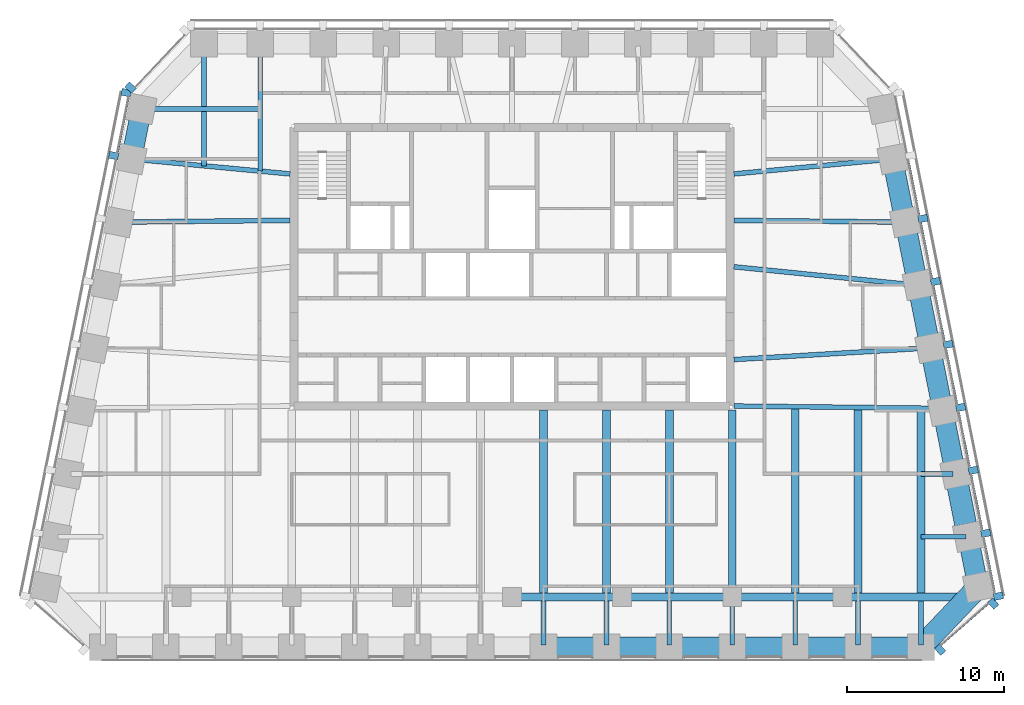
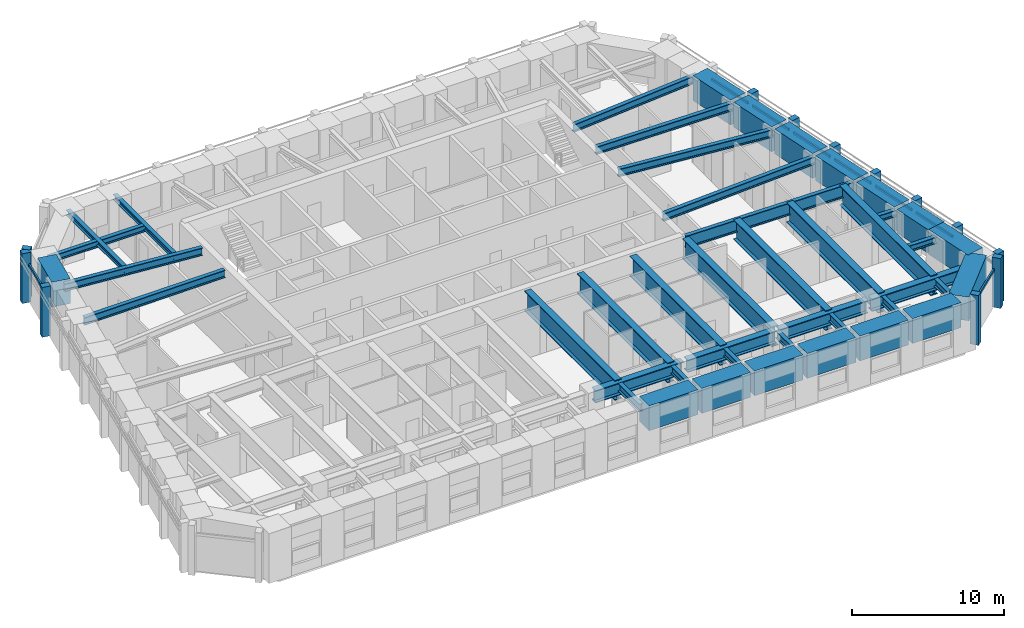
# One storey, part 2 of 13: 45 beams, 21 members, 4 elements without a shape of their own.
"""IFC4 building model written with IfcOpenShell, lengths in metres."""

import ifcopenshell
import ifcopenshell.guid

model = None  # the IFC model being written
_history = None  # IfcOwnerHistory: only IFC2X3 demands one
_inside = {}  # id of a spatial element -> (the spatial element, [elements in it])
_under = {}  # id of a project, library or spatial element -> (it, [spatial elements below it])
_declared = {}  # id of a project -> (the project, [libraries it declares])
_typed = {}  # id of a type object -> (the type object, [elements of that type])
_made_of = {}  # id of a material, layer set ... -> (it, [elements and type objects made of it])


def new_model(schema):
    """Start an empty IFC model of exactly this schema.

    Asked for "IFC4X3", IfcOpenShell would pick the latest addendum, in which some entities
    have other attributes; the version numbers below select the first issue.
    IFC2X3 requires an IfcOwnerHistory on every rooted entity: one is made here for all.
    """
    global model, _history
    if schema == "IFC4X3":
        model = ifcopenshell.file(schema_version=(4, 3, 0, 0))
    else:
        model = ifcopenshell.file(schema=schema)
    _inside.clear()
    _under.clear()
    _declared.clear()
    _typed.clear()
    _made_of.clear()
    _history = None
    if model.schema == "IFC2X3":
        org = make("IfcOrganization", Name="unknown")
        user = make(
            "IfcPersonAndOrganization",
            ThePerson=make("IfcPerson", FamilyName="unknown"),
            TheOrganization=org,
        )
        app = make(
            "IfcApplication",
            ApplicationDeveloper=org,
            Version="unknown",
            ApplicationFullName="unknown",
            ApplicationIdentifier="unknown",
        )
        _history = make(
            "IfcOwnerHistory",
            OwningUser=user,
            OwningApplication=app,
            ChangeAction="ADDED",
            CreationDate=0,
        )
    return model


def make(cls, **values):
    """One entity of the class cls with the attributes given. An attribute that is None is left unset."""
    return model.create_entity(
        cls, **{name: value for name, value in values.items() if value is not None}
    )


def rooted(cls, **values):
    """An entity with a GlobalId (a new one), such as an element, a storey or a relation."""
    return make(cls, GlobalId=ifcopenshell.guid.new(), OwnerHistory=_history, **values)


def si_unit(unit_type, name, prefix=None):
    """IfcSIUnit, for example si_unit("LENGTHUNIT", "METRE", prefix="MILLI")."""
    return make("IfcSIUnit", UnitType=unit_type, Prefix=prefix, Name=name)


def assignment(units):
    """IfcUnitAssignment: the units of a project."""
    return None if units is None else make("IfcUnitAssignment", Units=units)


def point(xyz):
    """IfcCartesianPoint."""
    return None if xyz is None else make("IfcCartesianPoint", Coordinates=xyz)


def direction(xyz):
    """IfcDirection."""
    return None if xyz is None else make("IfcDirection", DirectionRatios=xyz)


def frame(location, z_axis=None, x_axis=None):
    """IfcAxis2Placement3D, a coordinate frame: its origin and axes. An axis left out is left unset."""
    return make(
        "IfcAxis2Placement3D",
        Location=point(location),
        Axis=direction(z_axis),
        RefDirection=direction(x_axis),
    )


def frame_2d(location, x_axis=None):
    """IfcAxis2Placement2D, a coordinate frame in the plane: its origin and x axis."""
    return make(
        "IfcAxis2Placement2D", Location=point(location), RefDirection=direction(x_axis)
    )


def origin():
    """The frame at (0, 0, 0) with its axes left unset."""
    return frame((0.0, 0.0, 0.0))


def origin_2d():
    """The frame at (0, 0) in the plane with its x axis left unset."""
    return frame_2d((0.0, 0.0))


def place(relative_to, where):
    """IfcLocalPlacement: puts the frame where relative to a parent placement (None: the world)."""
    return make(
        "IfcLocalPlacement", PlacementRelTo=relative_to, RelativePlacement=where
    )


def context(
    kind, dimensions, precision=None, world=None, true_north=None, identifier=None
):
    """IfcGeometricRepresentationContext, for example the 3D "Model" context."""
    return make(
        "IfcGeometricRepresentationContext",
        ContextIdentifier=identifier,
        ContextType=kind,
        CoordinateSpaceDimension=dimensions,
        Precision=precision,
        WorldCoordinateSystem=world,
        TrueNorth=true_north,
    )


def subcontext(parent, identifier, kind, view, scale=None):
    """IfcGeometricRepresentationSubContext, for example "Body" below "Model"."""
    return make(
        "IfcGeometricRepresentationSubContext",
        ContextIdentifier=identifier,
        ContextType=kind,
        ParentContext=parent,
        TargetScale=scale,
        TargetView=view,
    )


def project(units=None, contexts=None):
    """IfcProject with its units and contexts."""
    return rooted(
        "IfcProject",
        Name="project",
        RepresentationContexts=contexts,
        UnitsInContext=assignment(units),
    )


def spatial(cls, under=None, at=None, **own):
    """A site, building, storey or space (cls), placed at a placement, below another one or the project."""
    s = rooted(cls, ObjectPlacement=at, **own)
    if under is not None:
        _under.setdefault(under.id(), (under, []))[1].append(s)
    return s


def profile(cls, at=None, kind="AREA", **sizes):
    """A parametric profile (cls). Its sizes go by their IFC names, for example OverallWidth=200.0."""
    return make(cls, ProfileType=kind, Position=at, **sizes)


def rectangle(**sizes):
    """IfcRectangleProfileDef."""
    return profile("IfcRectangleProfileDef", **sizes)


def i_section(**sizes):
    """IfcIShapeProfileDef."""
    return profile("IfcIShapeProfileDef", **sizes)


def extrude(swept, where, along, depth):
    """IfcExtrudedAreaSolid: the profile swept, set in the frame where, extruded along a direction by depth."""
    return make(
        "IfcExtrudedAreaSolid",
        SweptArea=swept,
        Position=where,
        ExtrudedDirection=direction(along),
        Depth=depth,
    )


def shape(context_of_items, identifier, shape_type, items):
    """IfcShapeRepresentation: the items that make up one representation, for example the "Body"."""
    return make(
        "IfcShapeRepresentation",
        ContextOfItems=context_of_items,
        RepresentationIdentifier=identifier,
        RepresentationType=shape_type,
        Items=items,
    )


def material(Name=None, Category=None):
    """IfcMaterial."""
    return make("IfcMaterial", Name=Name, Category=Category)


def material_profile(
    of_material, cross_section, Name=None, Category=None, Priority=None
):
    """IfcMaterialProfile: a cross section and its material."""
    return make(
        "IfcMaterialProfile",
        Name=Name,
        Material=of_material,
        Profile=cross_section,
        Priority=Priority,
        Category=Category,
    )


def profile_set(profiles, Name=None, composite=None):
    """IfcMaterialProfileSet."""
    return make(
        "IfcMaterialProfileSet",
        Name=Name,
        MaterialProfiles=profiles,
        CompositeProfile=composite,
    )


def made_of(thing, what):
    """Note that an element or type object is made of a material, layer set ...; save() writes the relation."""
    if what is not None:
        _made_of.setdefault(what.id(), (what, []))[1].append(thing)
    return thing


def type_object(cls, material=None, **own):
    """A type object (cls), such as IfcWallType, which elements share."""
    return made_of(rooted(cls, **own), material)


def element(
    cls,
    number,
    at=None,
    inside=None,
    cuts=None,
    type_object=None,
    material=None,
    context=None,
    identifier="Body",
    shape_type=None,
    held_by="IfcProductDefinitionShape",
    body=None,
    shapes=None,
    **own,
):
    """One element of the class cls, such as IfcWall. Its Tag is "e" and its number.

    at: its placement. inside: the storey or other place that contains it. cuts: it is an
    opening in that element (IfcRelVoidsElement). A single representation is given by context,
    identifier, shape_type and body (its items); several are given by shapes. held_by: the class
    of the entity that holds the representations. save() writes the other relations.
    """
    e = rooted(cls, Tag="e%d" % number, ObjectPlacement=at, **own)
    if body is not None:
        shapes = [shape(context, identifier, shape_type, body)]
    if shapes is not None:
        e.Representation = make(held_by, Representations=shapes)
    if inside is not None:
        _inside.setdefault(inside.id(), (inside, []))[1].append(e)
    if cuts is not None:
        rooted(
            "IfcRelVoidsElement", RelatingBuildingElement=cuts, RelatedOpeningElement=e
        )
    if type_object is not None:
        _typed.setdefault(type_object.id(), (type_object, []))[1].append(e)
    return made_of(e, material)


def aggregate(whole, parts):
    """IfcRelAggregates: a whole, such as a stair, and the parts it consists of."""
    return rooted("IfcRelAggregates", RelatingObject=whole, RelatedObjects=parts)


def save(model, path):
    """Write the relations noted so far, then the file.

    IfcRelAggregates (storeys below a building ...), IfcRelContainedInSpatialStructure (elements
    in a storey), IfcRelDefinesByType, IfcRelAssociatesMaterial and IfcRelDeclares: one each for
    every whole, place, type object, material and project.
    """
    for whole, parts in _under.values():
        aggregate(whole, parts)
    for where, things in _inside.values():
        rooted(
            "IfcRelContainedInSpatialStructure",
            RelatedElements=things,
            RelatingStructure=where,
        )
    for kind, things in _typed.values():
        rooted("IfcRelDefinesByType", RelatedObjects=things, RelatingType=kind)
    for what, things in _made_of.values():
        rooted("IfcRelAssociatesMaterial", RelatedObjects=things, RelatingMaterial=what)
    for by, libraries in _declared.values():
        rooted("IfcRelDeclares", RelatingContext=by, RelatedDefinitions=libraries)
    model.write(path)


model = new_model("IFC4")

# Units and contexts
model_context = context("Model", 3, precision=1e-05, world=origin(), true_north=direction((0.0, 1.0)))
body_context = subcontext(model_context, "Body", "Model", "MODEL_VIEW")
ifc_project = project(units=[si_unit("LENGTHUNIT", "METRE"), si_unit("AREAUNIT", "SQUARE_METRE"), si_unit("VOLUMEUNIT", "CUBIC_METRE"), si_unit("PLANEANGLEUNIT", "RADIAN"), si_unit("MASSUNIT", "GRAM", prefix="KILO")], contexts=[model_context])

# Site, building, storey
site_placement = place(None, origin())
site = spatial("IfcSite", under=ifc_project, at=site_placement, CompositionType="ELEMENT")
building_placement = place(site_placement, origin())
building = spatial("IfcBuilding", under=site, at=building_placement, Name="Isbrekke Arena Tower", CompositionType="ELEMENT")
storey_placement = place(building_placement, frame((0.0, 0.0, 280.0)))
storey = spatial("IfcBuildingStorey", under=building, at=storey_placement, Name="L65", CompositionType="ELEMENT", Elevation=280.0)

# Beams
ifc_material_1 = material(Name="Steel S355", Category="steel")
ifc_material_profile_1 = material_profile(ifc_material_1, i_section(OverallWidth=0.304931640625, OverallDepth=0.6201171875, WebThickness=0.02099609375, FlangeThickness=0.0400390625, FilletRadius=0.027099609375, at=origin_2d()), Name="HEM 600")
ifc_profile_set_1 = profile_set([ifc_material_profile_1], Name="Steel S355")
beam_type_1 = type_object("IfcBeamType", Name="B4 HEM 600", PredefinedType="BEAM", material=ifc_profile_set_1)
for number, where, z_axis, x_axis, name in (
    (1, (2.0, -9.02490234375, 3.43994140625), (0.0, 1.0, 0.0), (-1.0, 0.0, 0.0), "B4 beam S-S08 L65"),
    (2, (6.0, -9.02490234375, 3.43994140625), (0.0, 1.0, 0.0), (-1.0, 0.0, 0.0), "B4 beam S-S09 L65"),
    (3, (10.0, -9.02490234375, 3.43994140625), (0.0, 1.0, 0.0), (-1.0, 0.0, 0.0), "B4 beam S-S10 L65"),
):
    element("IfcBeam", number, at=place(storey_placement, frame(where, z_axis=z_axis, x_axis=x_axis)), inside=storey, type_object=beam_type_1, Name=name, PredefinedType="BEAM", context=body_context, shape_type="SweptSolid", body=[
        extrude(i_section(OverallWidth=0.304931640625, OverallDepth=0.6201171875, WebThickness=0.02099609375, FlangeThickness=0.0400390625, FilletRadius=0.027099609375, at=origin_2d()), origin(), (0.0, 0.0, 1.0), 2.77490234375),
    ])
beam_1_placement = place(storey_placement, frame((14.0, -9.02490234375, 3.43994140625), z_axis=(0.0, 1.0, 0.0), x_axis=(-1.0, 0.0, 0.0)))
element("IfcBeam", 4, at=beam_1_placement, inside=storey, type_object=beam_type_1, Name="B4 beam S-S11 L65", PredefinedType="BEAM", context=body_context, shape_type="SweptSolid", body=[
    extrude(i_section(OverallWidth=0.304931640625, OverallDepth=0.6201171875, WebThickness=0.02099609375, FlangeThickness=0.0400390625, FilletRadius=0.027099609375, at=origin_2d()), origin(), (0.0, 0.0, 1.0), 2.875),
])
for number, where, z_axis, x_axis, name in (
    (5, (18.0, -9.02490234375, 3.43994140625), (0.0, 1.0, 0.0), (-1.0, 0.0, 0.0), "B4 beam S-S12 L65"),
    (6, (22.0, -9.02490234375, 3.43994140625), (0.0, 1.0, 0.0), (-1.0, 0.0, 0.0), "B4 beam S-S13 L65"),
    (7, (26.0, -9.02490234375, 3.43994140625), (0.0, 1.0, 0.0), (-1.0, 0.0, 0.0), "B4 beam S-S14 L65"),
):
    element("IfcBeam", number, at=place(storey_placement, frame(where, z_axis=z_axis, x_axis=x_axis)), inside=storey, type_object=beam_type_1, Name=name, PredefinedType="BEAM", context=body_context, shape_type="SweptSolid", body=[
        extrude(i_section(OverallWidth=0.304931640625, OverallDepth=0.6201171875, WebThickness=0.02099609375, FlangeThickness=0.0400390625, FilletRadius=0.027099609375, at=origin_2d()), origin(), (0.0, 0.0, 1.0), 2.77490234375),
    ])
beam_2_placement = place(storey_placement, frame((26.431884765625, 9.837646484375, 3.5400390625), z_axis=(-0.998216240514, -0.059702070095, 0.0), x_axis=(0.059702070095, -0.998216240514, 0.0)))
element("IfcBeam", 8, at=beam_2_placement, inside=storey, type_object=beam_type_1, Name="B4 beam E-E05 L65", PredefinedType="BEAM", context=body_context, shape_type="SweptSolid", body=[
    extrude(i_section(OverallWidth=0.304931640625, OverallDepth=0.6201171875, WebThickness=0.02099609375, FlangeThickness=0.0400390625, FilletRadius=0.027099609375, at=origin_2d()), origin(), (0.0, 0.0, 1.0), 12.353759765625),
])
beam_3_placement = place(storey_placement, frame((25.625732421875, 13.83984375, 3.5400390625), z_axis=(-0.994972081505, 0.100152668587, 0.0), x_axis=(-0.100152668587, -0.994972081505, 0.0)))
element("IfcBeam", 9, at=beam_3_placement, inside=storey, type_object=beam_type_1, Name="B4 beam E-E06 L65", PredefinedType="BEAM", context=body_context, shape_type="SweptSolid", body=[
    extrude(i_section(OverallWidth=0.304931640625, OverallDepth=0.6201171875, WebThickness=0.02099609375, FlangeThickness=0.0400390625, FilletRadius=0.027099609375, at=origin_2d()), origin(), (0.0, 0.0, 1.0), 11.583984375),
])
beam_4_placement = place(storey_placement, frame((24.83935546875, 17.838134765625, 3.5400390625), z_axis=(-0.999945800258, 0.010411366203, 0.0), x_axis=(-0.010411366203, -0.999945800258, 0.0)))
element("IfcBeam", 10, at=beam_4_placement, inside=storey, type_object=beam_type_1, Name="B4 beam E-E07 L65", PredefinedType="BEAM", context=body_context, shape_type="SweptSolid", body=[
    extrude(i_section(OverallWidth=0.304931640625, OverallDepth=0.6201171875, WebThickness=0.02099609375, FlangeThickness=0.0400390625, FilletRadius=0.027099609375, at=origin_2d()), origin(), (0.0, 0.0, 1.0), 10.73974609375),
])
for number, where, z_axis, x_axis, name in (
    (11, (24.02685546875, 21.8369140625, 3.5400390625), (-0.995574576627, -0.093974796485, 0.0), (0.093974796485, -0.995574576627, 0.0), "B4 beam E-E08 L65"),
    (12, (-24.02685546875, 21.8369140625, 3.5400390625), (0.995574576627, -0.093974796485, 0.0), (0.093974796485, 0.995574576627, 0.0), "B4 beam E-W02 L65"),
):
    element("IfcBeam", number, at=place(storey_placement, frame(where, z_axis=z_axis, x_axis=x_axis)), inside=storey, type_object=beam_type_1, Name=name, PredefinedType="BEAM", context=body_context, shape_type="SweptSolid", body=[
        extrude(i_section(OverallWidth=0.304931640625, OverallDepth=0.6201171875, WebThickness=0.02099609375, FlangeThickness=0.0400390625, FilletRadius=0.027099609375, at=origin_2d()), origin(), (0.0, 0.0, 1.0), 9.970947265625),
    ])
beam_5_placement = place(storey_placement, frame((-24.83935546875, 17.838134765625, 3.5400390625), z_axis=(0.999945800258, 0.010411366203, 0.0), x_axis=(-0.010411366203, 0.999945800258, 0.0)))
element("IfcBeam", 13, at=beam_5_placement, inside=storey, type_object=beam_type_1, Name="B4 beam E-W03 L65", PredefinedType="BEAM", context=body_context, shape_type="SweptSolid", body=[
    extrude(i_section(OverallWidth=0.304931640625, OverallDepth=0.6201171875, WebThickness=0.02099609375, FlangeThickness=0.0400390625, FilletRadius=0.027099609375, at=origin_2d()), origin(), (0.0, 0.0, 1.0), 10.73974609375),
])
ifc_material_2 = material(Name="Steel S355", Category="steel")
ifc_material_profile_2 = material_profile(ifc_material_2, i_section(OverallWidth=0.305908203125, OverallDepth=0.52392578125, WebThickness=0.02099609375, FlangeThickness=0.0400390625, FilletRadius=0.027099609375, at=origin_2d()), Name="HEM 500")
ifc_profile_set_2 = profile_set([ifc_material_profile_2], Name="Steel S355")
beam_type_2 = type_object("IfcBeamType", Name="B5 HEM 500", PredefinedType="BEAM", material=ifc_profile_set_2)
beam_6_placement = place(storey_placement, frame((28.841064453125, -2.161865234375, 3.587890625), z_axis=(-1.0, 0.0, 0.0), x_axis=(0.0, -1.0, 0.0)))
element("IfcBeam", 14, at=beam_6_placement, inside=storey, type_object=beam_type_2, Name="B5 beam E-E02 L65", PredefinedType="BEAM", context=body_context, shape_type="SweptSolid", body=[
    extrude(i_section(OverallWidth=0.305908203125, OverallDepth=0.52392578125, WebThickness=0.02099609375, FlangeThickness=0.0400390625, FilletRadius=0.027099609375, at=origin_2d()), origin(), (0.0, 0.0, 1.0), 2.841064453125),
])
beam_7_placement = place(storey_placement, frame((28.041015625, 1.838134765625, 3.587890625), z_axis=(-1.0, 0.0, 0.0), x_axis=(0.0, -1.0, 0.0)))
element("IfcBeam", 15, at=beam_7_placement, inside=storey, type_object=beam_type_2, Name="B5 beam E-E03 L65", PredefinedType="BEAM", context=body_context, shape_type="SweptSolid", body=[
    extrude(i_section(OverallWidth=0.305908203125, OverallDepth=0.52392578125, WebThickness=0.02099609375, FlangeThickness=0.0400390625, FilletRadius=0.027099609375, at=origin_2d()), origin(), (0.0, 0.0, 1.0), 2.041015625),
])
beam_8_placement = place(storey_placement, frame((-23.40283203125, 25.029296875, 3.587890625), z_axis=(1.0, 0.0, 0.0), x_axis=(0.0, 1.0, 0.0)))
element("IfcBeam", 16, at=beam_8_placement, inside=storey, type_object=beam_type_2, Name="B5 beam E-W01 L65", PredefinedType="BEAM", context=body_context, shape_type="SweptSolid", body=[
    extrude(i_section(OverallWidth=0.305908203125, OverallDepth=0.52392578125, WebThickness=0.02099609375, FlangeThickness=0.0400390625, FilletRadius=0.027099609375, at=origin_2d()), origin(), (0.0, 0.0, 1.0), 7.40283203125),
])
ifc_material_3 = material(Name="Steel S355", Category="steel")
ifc_material_profile_3 = material_profile(ifc_material_3, i_section(OverallWidth=0.306884765625, OverallDepth=0.431884765625, WebThickness=0.02099609375, FlangeThickness=0.0400390625, FilletRadius=0.027099609375, at=origin_2d()), Name="HEM 400")
ifc_profile_set_3 = profile_set([ifc_material_profile_3], Name="Steel S355")
beam_type_3 = type_object("IfcBeamType", Name="B6 HEM 400", PredefinedType="BEAM", material=ifc_profile_set_3)
beam_9_placement = place(storey_placement, frame((-16.0, 29.02490234375, 3.634033203125), z_axis=(0.0, -1.0, 0.0), x_axis=(1.0, 0.0, 0.0)))
element("IfcBeam", 17, at=beam_9_placement, inside=storey, type_object=beam_type_3, Name="B6 beam N-N10 L65", PredefinedType="BEAM", context=body_context, shape_type="SweptSolid", body=[
    extrude(i_section(OverallWidth=0.306884765625, OverallDepth=0.431884765625, WebThickness=0.02099609375, FlangeThickness=0.0400390625, FilletRadius=0.027099609375, at=origin_2d()), origin(), (0.0, 0.0, 1.0), 7.945556640625),
])
beam_10_placement = place(storey_placement, frame((-19.574951171875, 29.02490234375, 3.634033203125), z_axis=(0.0, -1.0, 0.0), x_axis=(1.0, 0.0, 0.0)))
element("IfcBeam", 18, at=beam_10_placement, inside=storey, type_object=beam_type_3, Name="B6 beam N-N11 L65", PredefinedType="BEAM", context=body_context, shape_type="SweptSolid", body=[
    extrude(i_section(OverallWidth=0.306884765625, OverallDepth=0.431884765625, WebThickness=0.02099609375, FlangeThickness=0.0400390625, FilletRadius=0.027099609375, at=origin_2d()), origin(), (0.0, 0.0, 1.0), 7.608154296875),
])

# Curtain wall, members
ifc_material_4 = material(Name="Glazed aluminium curtain wall", Category="aluminium")
curtain_wall_type = type_object("IfcCurtainWallType", Name="CWT TOWER CURTAIN WALL TOP ZONE", PredefinedType="USERDEFINED", material=ifc_material_4)
curtain_wall_1_placement = place(storey_placement, origin())
curtain_wall_1 = element("IfcCurtainWall", 19, at=curtain_wall_1_placement, inside=storey, type_object=curtain_wall_type, Name="CWT curtain wall L65-SE", ObjectType="TOWER CURTAIN WALL TOP ZONE", PredefinedType="USERDEFINED")
ifc_material_5 = material(Name="Copper-clad aluminium mullion", Category="aluminium")
ifc_material_profile_4 = material_profile(ifc_material_5, rectangle(XDim=0.449951171875, YDim=0.60009765625, at=origin_2d()), Name="PIER 450X600")
ifc_profile_set_4 = profile_set([ifc_material_profile_4], Name="Copper-clad aluminium mullion")
member_type_1 = type_object("IfcMemberType", Name="CWT-M PIER MULLION 450 x 600", PredefinedType="MULLION", material=ifc_profile_set_4)
member_1_placement = place(storey_placement, frame((27.214111328125, -9.341796875, 0.0), z_axis=(0.0, 0.0, 1.0), x_axis=(0.754605522159, 0.65617871493, 0.0)))
member_1 = element("IfcMember", 20, at=member_1_placement, type_object=member_type_1, Name="CWT-M mullion 1", PredefinedType="MULLION", context=body_context, shape_type="SweptSolid", body=[
    extrude(rectangle(XDim=0.449951171875, YDim=0.60009765625, at=origin_2d()), origin(), (0.0, 0.0, 1.0), 4.0),
])
member_2_placement = place(storey_placement, frame((30.593505859375, -6.4033203125, 0.0), z_axis=(0.0, 0.0, 1.0), x_axis=(0.754605522159, 0.65617871493, 0.0)))
member_2 = element("IfcMember", 21, at=member_2_placement, type_object=member_type_1, Name="CWT-M mullion 2", PredefinedType="MULLION", context=body_context, shape_type="SweptSolid", body=[
    extrude(rectangle(XDim=0.449951171875, YDim=0.60009765625, at=origin_2d()), origin(), (0.0, 0.0, 1.0), 4.0),
])

curtain_wall_2_placement = place(storey_placement, origin())
curtain_wall_2 = element("IfcCurtainWall", 22, at=curtain_wall_2_placement, inside=storey, type_object=curtain_wall_type, Name="CWT curtain wall L65-E", ObjectType="TOWER CURTAIN WALL TOP ZONE", PredefinedType="USERDEFINED")
member_3_placement = place(storey_placement, frame((30.918701171875, -5.936279296875, 0.0), z_axis=(0.0, 0.0, 1.0), x_axis=(-0.196116135138, 0.980580675691, 0.0)))
member_3 = element("IfcMember", 23, at=member_3_placement, type_object=member_type_1, Name="CWT-M mullion 1", PredefinedType="MULLION", context=body_context, shape_type="SweptSolid", body=[
    extrude(rectangle(XDim=0.449951171875, YDim=0.60009765625, at=origin_2d()), origin(), (0.0, 0.0, 1.0), 4.0),
])
member_4_placement = place(storey_placement, frame((30.11865234375, -1.936279296875, 0.0), z_axis=(0.0, 0.0, 1.0), x_axis=(-0.196116135138, 0.980580675691, 0.0)))
member_4 = element("IfcMember", 24, at=member_4_placement, type_object=member_type_1, Name="CWT-M mullion 2", PredefinedType="MULLION", context=body_context, shape_type="SweptSolid", body=[
    extrude(rectangle(XDim=0.449951171875, YDim=0.60009765625, at=origin_2d()), origin(), (0.0, 0.0, 1.0), 4.0),
])
member_5_placement = place(storey_placement, frame((29.318603515625, 2.063720703125, 0.0), z_axis=(0.0, 0.0, 1.0), x_axis=(-0.196116135138, 0.980580675691, 0.0)))
member_5 = element("IfcMember", 25, at=member_5_placement, type_object=member_type_1, Name="CWT-M mullion 3", PredefinedType="MULLION", context=body_context, shape_type="SweptSolid", body=[
    extrude(rectangle(XDim=0.449951171875, YDim=0.60009765625, at=origin_2d()), origin(), (0.0, 0.0, 1.0), 4.0),
])
member_6_placement = place(storey_placement, frame((28.518798828125, 6.063720703125, 0.0), z_axis=(0.0, 0.0, 1.0), x_axis=(-0.196116135138, 0.980580675691, 0.0)))
member_6 = element("IfcMember", 26, at=member_6_placement, type_object=member_type_1, Name="CWT-M mullion 4", PredefinedType="MULLION", context=body_context, shape_type="SweptSolid", body=[
    extrude(rectangle(XDim=0.449951171875, YDim=0.60009765625, at=origin_2d()), origin(), (0.0, 0.0, 1.0), 4.0),
])
member_7_placement = place(storey_placement, frame((27.71875, 10.063720703125, 0.0), z_axis=(0.0, 0.0, 1.0), x_axis=(-0.196116135138, 0.980580675691, 0.0)))
member_7 = element("IfcMember", 27, at=member_7_placement, type_object=member_type_1, Name="CWT-M mullion 5", PredefinedType="MULLION", context=body_context, shape_type="SweptSolid", body=[
    extrude(rectangle(XDim=0.449951171875, YDim=0.60009765625, at=origin_2d()), origin(), (0.0, 0.0, 1.0), 4.0),
])
member_8_placement = place(storey_placement, frame((26.918701171875, 14.063720703125, 0.0), z_axis=(0.0, 0.0, 1.0), x_axis=(-0.196116135138, 0.980580675691, 0.0)))
member_8 = element("IfcMember", 28, at=member_8_placement, type_object=member_type_1, Name="CWT-M mullion 6", PredefinedType="MULLION", context=body_context, shape_type="SweptSolid", body=[
    extrude(rectangle(XDim=0.449951171875, YDim=0.60009765625, at=origin_2d()), origin(), (0.0, 0.0, 1.0), 4.0),
])
member_9_placement = place(storey_placement, frame((26.11865234375, 18.063720703125, 0.0), z_axis=(0.0, 0.0, 1.0), x_axis=(-0.196116135138, 0.980580675691, 0.0)))
member_9 = element("IfcMember", 29, at=member_9_placement, type_object=member_type_1, Name="CWT-M mullion 7", PredefinedType="MULLION", context=body_context, shape_type="SweptSolid", body=[
    extrude(rectangle(XDim=0.449951171875, YDim=0.60009765625, at=origin_2d()), origin(), (0.0, 0.0, 1.0), 4.0),
])

# Curtain wall, member
curtain_wall_3_placement = place(storey_placement, origin())
curtain_wall_3 = element("IfcCurtainWall", 30, at=curtain_wall_3_placement, inside=storey, type_object=curtain_wall_type, Name="CWT curtain wall L65-NW", ObjectType="TOWER CURTAIN WALL TOP ZONE", PredefinedType="USERDEFINED")
member_10_placement = place(storey_placement, frame((-24.243896484375, 26.389404296875, 0.0), z_axis=(0.0, 0.0, 1.0), x_axis=(-0.68874946192, -0.72499943359, 0.0)))
member_10 = element("IfcMember", 31, at=member_10_placement, type_object=member_type_1, Name="CWT-M mullion 2", PredefinedType="MULLION", context=body_context, shape_type="SweptSolid", body=[
    extrude(rectangle(XDim=0.449951171875, YDim=0.60009765625, at=origin_2d()), origin(), (0.0, 0.0, 1.0), 4.0),
])
aggregate(curtain_wall_3, [member_10])

# Curtain wall, members
curtain_wall_4_placement = place(storey_placement, origin())
curtain_wall_4 = element("IfcCurtainWall", 32, at=curtain_wall_4_placement, inside=storey, type_object=curtain_wall_type, Name="CWT curtain wall L65-W", ObjectType="TOWER CURTAIN WALL TOP ZONE", PredefinedType="USERDEFINED")
member_11_placement = place(storey_placement, frame((-24.518798828125, 26.063720703125, 0.0), z_axis=(0.0, 0.0, 1.0), x_axis=(-0.196116135138, -0.980580675691, 0.0)))
member_11 = element("IfcMember", 33, at=member_11_placement, type_object=member_type_1, Name="CWT-M mullion 1", PredefinedType="MULLION", context=body_context, shape_type="SweptSolid", body=[
    extrude(rectangle(XDim=0.449951171875, YDim=0.60009765625, at=origin_2d()), origin(), (0.0, 0.0, 1.0), 4.0),
])
member_12_placement = place(storey_placement, frame((-25.318603515625, 22.063720703125, 0.0), z_axis=(0.0, 0.0, 1.0), x_axis=(-0.196116135138, -0.980580675691, 0.0)))
member_12 = element("IfcMember", 34, at=member_12_placement, type_object=member_type_1, Name="CWT-M mullion 2", PredefinedType="MULLION", context=body_context, shape_type="SweptSolid", body=[
    extrude(rectangle(XDim=0.449951171875, YDim=0.60009765625, at=origin_2d()), origin(), (0.0, 0.0, 1.0), 4.0),
])

# Member
ifc_material_6 = material(Name="Aluminium transom", Category="aluminium")
ifc_material_profile_5 = material_profile(ifc_material_6, rectangle(XDim=0.1201171875, YDim=0.199951171875, at=origin_2d()), Name="TRANSOM 120X200")
ifc_profile_set_5 = profile_set([ifc_material_profile_5], Name="Aluminium transom")
member_type_2 = type_object("IfcMemberType", Name="CWT-T TRANSOM 120 x 200", PredefinedType="USERDEFINED", material=ifc_profile_set_5)
member_13_placement = place(storey_placement, frame((27.252685546875, -9.043212890625, 3.0), z_axis=(0.754604217406, 0.656180215393, 0.0), x_axis=(-0.656180215393, 0.754604217406, 0.0)))
member_13 = element("IfcMember", 35, at=member_13_placement, type_object=member_type_2, Name="CWT-T transom 1", ObjectType="TRANSOM", PredefinedType="USERDEFINED", context=body_context, shape_type="SweptSolid", body=[
    extrude(rectangle(XDim=0.1201171875, YDim=0.199951171875, at=origin_2d()), origin(), (0.0, 0.0, 1.0), 4.0283203125),
])

aggregate(curtain_wall_1, [member_1, member_2, member_13])

member_14_placement = place(storey_placement, frame((30.678466796875, -5.7548828125, 3.0), z_axis=(-0.196090262229, 0.980585849918, 0.0), x_axis=(-0.980585849918, -0.196090262229, 0.0)))
member_14 = element("IfcMember", 36, at=member_14_placement, type_object=member_type_2, Name="CWT-T transom 1", ObjectType="TRANSOM", PredefinedType="USERDEFINED", context=body_context, shape_type="SweptSolid", body=[
    extrude(rectangle(XDim=0.1201171875, YDim=0.199951171875, at=origin_2d()), origin(), (0.0, 0.0, 1.0), 3.62939453125),
])

member_15_placement = place(storey_placement, frame((29.87841796875, -1.7548828125, 3.0), z_axis=(-0.196090262229, 0.980585849918, 0.0), x_axis=(-0.980585849918, -0.196090262229, 0.0)))
member_15 = element("IfcMember", 37, at=member_15_placement, type_object=member_type_2, Name="CWT-T transom 2", ObjectType="TRANSOM", PredefinedType="USERDEFINED", context=body_context, shape_type="SweptSolid", body=[
    extrude(rectangle(XDim=0.1201171875, YDim=0.199951171875, at=origin_2d()), origin(), (0.0, 0.0, 1.0), 3.62939453125),
])

member_16_placement = place(storey_placement, frame((29.078369140625, 2.2451171875, 3.0), z_axis=(-0.196090262229, 0.980585849918, 0.0), x_axis=(-0.980585849918, -0.196090262229, 0.0)))
member_16 = element("IfcMember", 38, at=member_16_placement, type_object=member_type_2, Name="CWT-T transom 3", ObjectType="TRANSOM", PredefinedType="USERDEFINED", context=body_context, shape_type="SweptSolid", body=[
    extrude(rectangle(XDim=0.1201171875, YDim=0.199951171875, at=origin_2d()), origin(), (0.0, 0.0, 1.0), 3.62939453125),
])

member_17_placement = place(storey_placement, frame((28.278564453125, 6.2451171875, 3.0), z_axis=(-0.196154943734, 0.980572913173, 0.0), x_axis=(-0.980572913173, -0.196154943734, 0.0)))
member_17 = element("IfcMember", 39, at=member_17_placement, type_object=member_type_2, Name="CWT-T transom 4", ObjectType="TRANSOM", PredefinedType="USERDEFINED", context=body_context, shape_type="SweptSolid", body=[
    extrude(rectangle(XDim=0.1201171875, YDim=0.199951171875, at=origin_2d()), origin(), (0.0, 0.0, 1.0), 3.62939453125),
])

member_18_placement = place(storey_placement, frame((27.478515625, 10.2451171875, 3.0), z_axis=(-0.196154943734, 0.980572913173, 0.0), x_axis=(-0.980572913173, -0.196154943734, 0.0)))
member_18 = element("IfcMember", 40, at=member_18_placement, type_object=member_type_2, Name="CWT-T transom 5", ObjectType="TRANSOM", PredefinedType="USERDEFINED", context=body_context, shape_type="SweptSolid", body=[
    extrude(rectangle(XDim=0.1201171875, YDim=0.199951171875, at=origin_2d()), origin(), (0.0, 0.0, 1.0), 3.62939453125),
])

member_19_placement = place(storey_placement, frame((26.678466796875, 14.2451171875, 3.0), z_axis=(-0.196090262229, 0.980585849918, 0.0), x_axis=(-0.980585849918, -0.196090262229, 0.0)))
member_19 = element("IfcMember", 41, at=member_19_placement, type_object=member_type_2, Name="CWT-T transom 6", ObjectType="TRANSOM", PredefinedType="USERDEFINED", context=body_context, shape_type="SweptSolid", body=[
    extrude(rectangle(XDim=0.1201171875, YDim=0.199951171875, at=origin_2d()), origin(), (0.0, 0.0, 1.0), 3.62939453125),
])

member_20_placement = place(storey_placement, frame((25.87841796875, 18.2451171875, 3.0), z_axis=(-0.196090262229, 0.980585849918, 0.0), x_axis=(-0.980585849918, -0.196090262229, 0.0)))
member_20 = element("IfcMember", 42, at=member_20_placement, type_object=member_type_2, Name="CWT-T transom 7", ObjectType="TRANSOM", PredefinedType="USERDEFINED", context=body_context, shape_type="SweptSolid", body=[
    extrude(rectangle(XDim=0.1201171875, YDim=0.199951171875, at=origin_2d()), origin(), (0.0, 0.0, 1.0), 3.62939453125),
])

aggregate(curtain_wall_2, [member_3, member_4, member_5, member_6, member_7, member_8, member_9, member_14, member_15, member_16, member_17, member_18, member_19, member_20])

member_21_placement = place(storey_placement, frame((-24.36669921875, 25.803955078125, 3.0), z_axis=(-0.196090262229, -0.980585849918, 0.0), x_axis=(0.980585849918, -0.196090262229, 0.0)))
member_21 = element("IfcMember", 43, at=member_21_placement, type_object=member_type_2, Name="CWT-T transom 1", ObjectType="TRANSOM", PredefinedType="USERDEFINED", context=body_context, shape_type="SweptSolid", body=[
    extrude(rectangle(XDim=0.1201171875, YDim=0.199951171875, at=origin_2d()), origin(), (0.0, 0.0, 1.0), 3.62939453125),
])

aggregate(curtain_wall_4, [member_11, member_12, member_21])

# Beams
ifc_material_7 = material(Name="Steel S355", Category="steel")
ifc_material_profile_6 = material_profile(ifc_material_7, i_section(OverallWidth=0.302001953125, OverallDepth=1.008056640625, WebThickness=0.02099609375, FlangeThickness=0.0400390625, FilletRadius=0.030029296875, at=origin_2d()), Name="HEM 1000")
ifc_profile_set_6 = profile_set([ifc_material_profile_6], Name="Steel S355")
beam_type_4 = type_object("IfcBeamType", Name="G2 HEM 1000", PredefinedType="BEAM", material=ifc_profile_set_6)
beam_11_placement = place(storey_placement, frame((14.10009765625, 6.14990234375, 3.345947265625), z_axis=(0.999936387749, -0.011279204565, 0.0), x_axis=(0.011279204565, 0.999936387749, 0.0)))
element("IfcBeam", 44, at=beam_11_placement, inside=storey, type_object=beam_type_4, Name="G2 beam G2-E L65", PredefinedType="BEAM", context=body_context, shape_type="SweptSolid", body=[
    extrude(i_section(OverallWidth=0.302001953125, OverallDepth=1.008056640625, WebThickness=0.02099609375, FlangeThickness=0.0400390625, FilletRadius=0.030029296875, at=origin_2d()), origin(), (0.0, 0.0, 1.0), 13.2900390625),
])
ifc_material_8 = material(Name="Steel S355", Category="steel")
ifc_material_profile_7 = material_profile(ifc_material_8, i_section(OverallWidth=0.5, OverallDepth=1.0, WebThickness=0.0400390625, FlangeThickness=0.06005859375, at=origin_2d()), Name="PG 1000x500")
ifc_profile_set_7 = profile_set([ifc_material_profile_7], Name="Steel S355")
beam_type_5 = type_object("IfcBeamType", Name="G4 PG 1000x500", PredefinedType="BEAM", material=ifc_profile_set_7)
for number, where, z_axis, x_axis, name in (
    (45, (0.14990234375, -6.0, 3.25), (1.0, 0.0, 0.0), (0.0, 1.0, 0.0), "G4 beam G1-05 L65"),
    (46, (7.14990234375, -6.0, 3.25), (1.0, 0.0, 0.0), (0.0, 1.0, 0.0), "G4 beam G1-06 L65"),
    (47, (14.14990234375, -6.0, 3.25), (1.0, 0.0, 0.0), (0.0, 1.0, 0.0), "G4 beam G1-07 L65"),
):
    element("IfcBeam", number, at=place(storey_placement, frame(where, z_axis=z_axis, x_axis=x_axis)), inside=storey, type_object=beam_type_5, Name=name, PredefinedType="BEAM", context=body_context, shape_type="SweptSolid", body=[
        extrude(i_section(OverallWidth=0.5, OverallDepth=1.0, WebThickness=0.0400390625, FlangeThickness=0.06005859375, at=origin_2d()), origin(), (0.0, 0.0, 1.0), 6.7001953125),
    ])
beam_12_placement = place(storey_placement, frame((21.14990234375, -6.0, 3.25), z_axis=(1.0, 0.0, 0.0), x_axis=(0.0, 1.0, 0.0)))
element("IfcBeam", 48, at=beam_12_placement, inside=storey, type_object=beam_type_5, Name="G4 beam G1-08 L65", PredefinedType="BEAM", context=body_context, shape_type="SweptSolid", body=[
    extrude(i_section(OverallWidth=0.5, OverallDepth=1.0, WebThickness=0.0400390625, FlangeThickness=0.06005859375, at=origin_2d()), origin(), (0.0, 0.0, 1.0), 8.479248046875),
])
ifc_material_9 = material(Name="Concrete B55 (C55/67)", Category="concrete")
ifc_material_profile_8 = material_profile(ifc_material_9, rectangle(XDim=1.300048828125, YDim=2.0, at=origin_2d()), Name="RC 1300x2000")
ifc_profile_set_8 = profile_set([ifc_material_profile_8], Name="Concrete B55 (C55/67)")
beam_type_6 = type_object("IfcBeamType", Name="SB4 RC 1300 x 2000", PredefinedType="SPANDREL", material=ifc_profile_set_8)
for number, where, z_axis, x_axis, name in (
    (49, (2.14990234375, -9.175048828125, 3.0), (1.0, 0.0, 0.0), (0.0, 1.0, 0.0), "SB4 spandrel S08-S09 L65"),
    (50, (6.14990234375, -9.175048828125, 3.0), (1.0, 0.0, 0.0), (0.0, 1.0, 0.0), "SB4 spandrel S09-S10 L65"),
    (51, (10.14990234375, -9.175048828125, 3.0), (1.0, 0.0, 0.0), (0.0, 1.0, 0.0), "SB4 spandrel S10-S11 L65"),
    (52, (14.14990234375, -9.175048828125, 3.0), (1.0, 0.0, 0.0), (0.0, 1.0, 0.0), "SB4 spandrel S11-S12 L65"),
    (53, (18.14990234375, -9.175048828125, 3.0), (1.0, 0.0, 0.0), (0.0, 1.0, 0.0), "SB4 spandrel S12-S13 L65"),
    (54, (22.14990234375, -9.175048828125, 3.0), (1.0, 0.0, 0.0), (0.0, 1.0, 0.0), "SB4 spandrel S13-S14 L65"),
):
    element("IfcBeam", number, at=place(storey_placement, frame(where, z_axis=z_axis, x_axis=x_axis)), inside=storey, type_object=beam_type_6, Name=name, PredefinedType="SPANDREL", context=body_context, shape_type="SweptSolid", body=[
        extrude(rectangle(XDim=1.300048828125, YDim=2.0, at=origin_2d()), origin(), (0.0, 0.0, 1.0), 3.7001953125),
    ])
beam_13_placement = place(storey_placement, frame((29.599853515625, -5.205810546875, 3.0), z_axis=(-0.196092237713, 0.980585454873, 0.0), x_axis=(-0.980585454873, -0.196092237713, 0.0)))
element("IfcBeam", 55, at=beam_13_placement, inside=storey, type_object=beam_type_6, Name="SB4 spandrel E01-E02 L65", PredefinedType="SPANDREL", context=body_context, shape_type="SweptSolid", body=[
    extrude(rectangle(XDim=1.300048828125, YDim=2.0, at=origin_2d()), origin(), (0.0, 0.0, 1.0), 3.92919921875),
])
for number, where, z_axis, x_axis, name in (
    (56, (28.16162109375, 1.9853515625, 3.0), (-0.196128558387, 0.980578190959, 0.0), (-0.980578190959, -0.196128558387, 0.0), "SB4 spandrel E03-E04 L65"),
    (57, (27.361572265625, 5.9853515625, 3.0), (-0.196128558387, 0.980578190959, 0.0), (-0.980578190959, -0.196128558387, 0.0), "SB4 spandrel E04-E05 L65"),
):
    element("IfcBeam", number, at=place(storey_placement, frame(where, z_axis=z_axis, x_axis=x_axis)), inside=storey, type_object=beam_type_6, Name=name, PredefinedType="SPANDREL", context=body_context, shape_type="SweptSolid", body=[
        extrude(rectangle(XDim=1.300048828125, YDim=2.0, at=origin_2d()), origin(), (0.0, 0.0, 1.0), 3.779296875),
    ])
beam_14_placement = place(storey_placement, frame((26.5615234375, 9.9853515625, 3.0), z_axis=(-0.1960664412, 0.980590613169, 0.0), x_axis=(-0.980590613169, -0.1960664412, 0.0)))
element("IfcBeam", 58, at=beam_14_placement, inside=storey, type_object=beam_type_6, Name="SB4 spandrel E05-E06 L65", PredefinedType="SPANDREL", context=body_context, shape_type="SweptSolid", body=[
    extrude(rectangle(XDim=1.300048828125, YDim=2.0, at=origin_2d()), origin(), (0.0, 0.0, 1.0), 3.779052734375),
])
for number, where, z_axis, x_axis, name in (
    (59, (25.76171875, 13.9853515625, 3.0), (-0.196128558387, 0.980578190959, 0.0), (-0.980578190959, -0.196128558387, 0.0), "SB4 spandrel E06-E07 L65"),
    (60, (24.961669921875, 17.9853515625, 3.0), (-0.196128558387, 0.980578190959, 0.0), (-0.980578190959, -0.196128558387, 0.0), "SB4 spandrel E07-E08 L65"),
):
    element("IfcBeam", number, at=place(storey_placement, frame(where, z_axis=z_axis, x_axis=x_axis)), inside=storey, type_object=beam_type_6, Name=name, PredefinedType="SPANDREL", context=body_context, shape_type="SweptSolid", body=[
        extrude(rectangle(XDim=1.300048828125, YDim=2.0, at=origin_2d()), origin(), (0.0, 0.0, 1.0), 3.779296875),
    ])
beam_15_placement = place(storey_placement, frame((-23.582275390625, 24.882080078125, 3.0), z_axis=(-0.196116135138, -0.980580675691, 0.0), x_axis=(0.980580675691, -0.196116135138, 0.0)))
element("IfcBeam", 61, at=beam_15_placement, inside=storey, type_object=beam_type_6, Name="SB4 spandrel W01-W02 L65", PredefinedType="SPANDREL", context=body_context, shape_type="SweptSolid", body=[
    extrude(rectangle(XDim=1.300048828125, YDim=2.0, at=origin_2d()), origin(), (0.0, 0.0, 1.0), 2.9541015625),
])
ifc_material_10 = material(Name="Concrete B55 (C55/67)", Category="concrete")
ifc_material_profile_9 = material_profile(ifc_material_10, rectangle(XDim=1.39990234375, YDim=1.89990234375, at=origin_2d()), Name="RC 1400 x 1900")
ifc_profile_set_9 = profile_set([ifc_material_profile_9], Name="Concrete B55 (C55/67)")
beam_type_7 = type_object("IfcBeamType", Name="SB5 RC 1400  x  1900", PredefinedType="SPANDREL", material=ifc_profile_set_9)
beam_16_placement = place(storey_placement, frame((26.103271484375, -9.066162109375, 3.050048828125), z_axis=(0.688573884881, 0.725166191339, 0.0), x_axis=(-0.725166191339, 0.688573884881, 0.0)))
element("IfcBeam", 62, at=beam_16_placement, inside=storey, type_object=beam_type_7, Name="SB5 spandrel S14-E01 L65", PredefinedType="SPANDREL", context=body_context, shape_type="SweptSolid", body=[
    extrude(rectangle(XDim=1.39990234375, YDim=1.89990234375, at=origin_2d()), origin(), (0.0, 0.0, 1.0), 4.970458984375),
])
beam_17_placement = place(storey_placement, frame((28.829345703125, -1.352783203125, 3.050048828125), z_axis=(-0.196146384009, 0.980574625432, 0.0), x_axis=(-0.980574625432, -0.196146384009, 0.0)))
element("IfcBeam", 63, at=beam_17_placement, inside=storey, type_object=beam_type_7, Name="SB5 spandrel E02-E03 L65", PredefinedType="SPANDREL", context=body_context, shape_type="SweptSolid", body=[
    extrude(rectangle(XDim=1.39990234375, YDim=1.89990234375, at=origin_2d()), origin(), (0.0, 0.0, 1.0), 3.104248046875),
])
ifc_material_11 = material(Name="Steel S355", Category="steel")
ifc_material_profile_10 = material_profile(ifc_material_11, i_section(OverallWidth=0.5, OverallDepth=1.60009765625, WebThickness=0.030029296875, FlangeThickness=0.06005859375, at=origin_2d()), Name="PG 1600x500")
ifc_profile_set_10 = profile_set([ifc_material_profile_10], Name="Steel S355")
beam_type_8 = type_object("IfcBeamType", Name="TG1 PG 1600x500", PredefinedType="BEAM", material=ifc_profile_set_10)
for number, where, z_axis, x_axis, name in (
    (64, (2.0, -6.0, 3.050048828125), (0.0, 1.0, 0.0), (-1.0, 0.0, 0.0), "TG1 transfer girder C-M08 L65"),
    (65, (6.0, -6.0, 3.050048828125), (0.0, 1.0, 0.0), (-1.0, 0.0, 0.0), "TG1 transfer girder C-M09 L65"),
    (66, (10.0, -6.0, 3.050048828125), (0.0, 1.0, 0.0), (-1.0, 0.0, 0.0), "TG1 transfer girder C-M10 L65"),
):
    element("IfcBeam", number, at=place(storey_placement, frame(where, z_axis=z_axis, x_axis=x_axis)), inside=storey, type_object=beam_type_8, Name=name, PredefinedType="BEAM", context=body_context, shape_type="SweptSolid", body=[
        extrude(i_section(OverallWidth=0.5, OverallDepth=1.60009765625, WebThickness=0.030029296875, FlangeThickness=0.06005859375, at=origin_2d()), origin(), (0.0, 0.0, 1.0), 11.89990234375),
    ])
beam_18_placement = place(storey_placement, frame((14.0, -5.85009765625, 3.050048828125), z_axis=(0.0, 1.0, 0.0), x_axis=(-1.0, 0.0, 0.0)))
element("IfcBeam", 67, at=beam_18_placement, inside=storey, type_object=beam_type_8, Name="TG1 transfer girder C-M11 L65", PredefinedType="BEAM", context=body_context, shape_type="SweptSolid", body=[
    extrude(i_section(OverallWidth=0.5, OverallDepth=1.60009765625, WebThickness=0.030029296875, FlangeThickness=0.06005859375, at=origin_2d()), origin(), (0.0, 0.0, 1.0), 11.75),
])
beam_19_placement = place(storey_placement, frame((18.0, -6.0, 3.050048828125), z_axis=(0.0, 1.0, 0.0), x_axis=(-1.0, 0.0, 0.0)))
element("IfcBeam", 68, at=beam_19_placement, inside=storey, type_object=beam_type_8, Name="TG1 transfer girder C-M12 L65", PredefinedType="BEAM", context=body_context, shape_type="SweptSolid", body=[
    extrude(i_section(OverallWidth=0.5, OverallDepth=1.60009765625, WebThickness=0.030029296875, FlangeThickness=0.06005859375, at=origin_2d()), origin(), (0.0, 0.0, 1.0), 12.10595703125),
])
beam_20_placement = place(storey_placement, frame((22.0, -6.0, 3.050048828125), z_axis=(0.0, 1.0, 0.0), x_axis=(-1.0, 0.0, 0.0)))
element("IfcBeam", 69, at=beam_20_placement, inside=storey, type_object=beam_type_8, Name="TG1 transfer girder C-M13 L65", PredefinedType="BEAM", context=body_context, shape_type="SweptSolid", body=[
    extrude(i_section(OverallWidth=0.5, OverallDepth=1.60009765625, WebThickness=0.030029296875, FlangeThickness=0.06005859375, at=origin_2d()), origin(), (0.0, 0.0, 1.0), 12.060791015625),
])
beam_21_placement = place(storey_placement, frame((26.0, -6.0, 3.050048828125), z_axis=(0.0, 1.0, 0.0), x_axis=(-1.0, 0.0, 0.0)))
element("IfcBeam", 70, at=beam_21_placement, inside=storey, type_object=beam_type_8, Name="TG1 transfer girder C-M14 L65", PredefinedType="BEAM", context=body_context, shape_type="SweptSolid", body=[
    extrude(i_section(OverallWidth=0.5, OverallDepth=1.60009765625, WebThickness=0.030029296875, FlangeThickness=0.06005859375, at=origin_2d()), origin(), (0.0, 0.0, 1.0), 12.015625),
])

save(model, "model.ifc")
